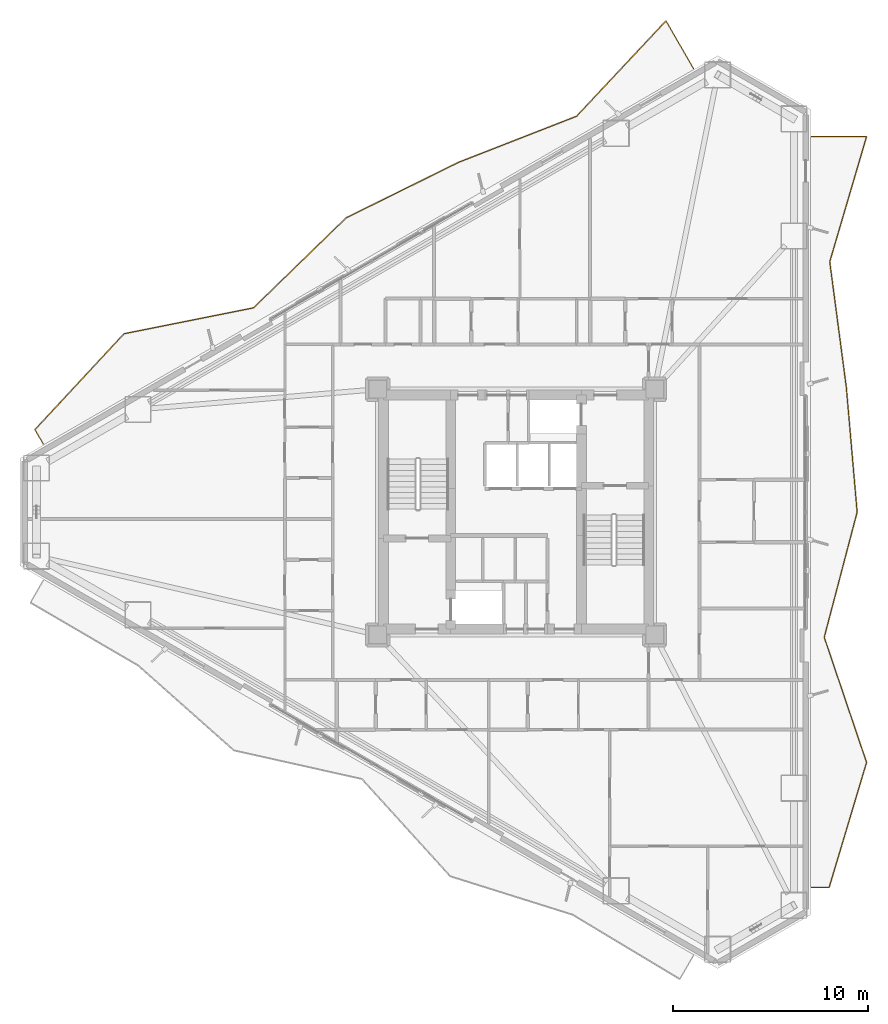
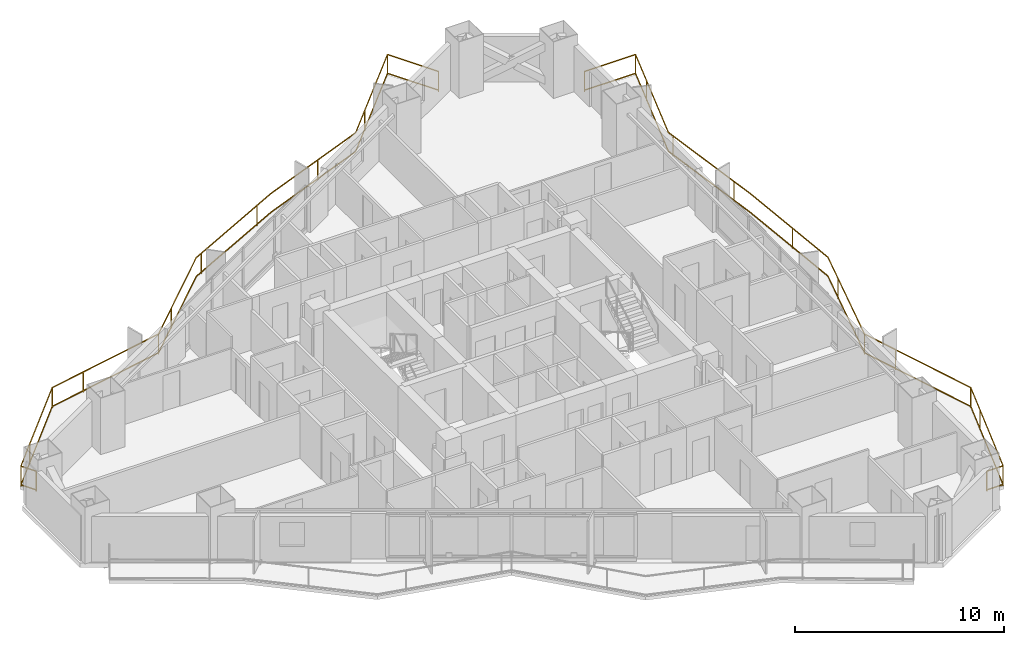
# One storey, part 18 of 18: 2 railings.
"""IFC4 building model written with IfcOpenShell, lengths in metres."""

from ifc_helpers import new_model, si_unit, direction, frame, origin, origin_2d, place, context, subcontext, project, spatial, rectangle, extrude, material, type_object, element, save


model = new_model("IFC4")

# Units and contexts
model_context = context("Model", 3, precision=1e-05, world=origin(), true_north=direction((0.0, 1.0)))
body_context = subcontext(model_context, "Body", "Model", "MODEL_VIEW")
ifc_project = project(units=[si_unit("LENGTHUNIT", "METRE"), si_unit("AREAUNIT", "SQUARE_METRE"), si_unit("VOLUMEUNIT", "CUBIC_METRE"), si_unit("PLANEANGLEUNIT", "RADIAN"), si_unit("MASSUNIT", "GRAM", prefix="KILO")], contexts=[model_context])

# Site, building, storey
site_placement = place(None, origin())
site = spatial("IfcSite", under=ifc_project, at=site_placement, CompositionType="ELEMENT")
building_placement = place(site_placement, origin())
building = spatial("IfcBuilding", under=site, at=building_placement, Name="Mersakhor Tower and Convention Hall", CompositionType="ELEMENT")
storey_placement = place(building_placement, frame((0.0, 0.0, 55.5)))
storey = spatial("IfcBuildingStorey", under=building, at=storey_placement, Name="L15", CompositionType="ELEMENT", Elevation=55.5)

# Railings
ifc_material = material(Name="Powder-coated galvanised steel and laminated glass balustrade", Category="steel")
railing_type = type_object("IfcRailingType", Name="RL-BAL-1200", PredefinedType="BALUSTRADE", material=ifc_material)
railing_1_placement = place(storey_placement, frame((38.099609375, 49.497314453125, 0.0)))
element("IfcRailing", 1, at=railing_1_placement, inside=storey, type_object=railing_type, Name="L15 Sinusoidal Balcony Balustrade F1", PredefinedType="BALUSTRADE", context=body_context, shape_type="SweptSolid", body=[
    extrude(rectangle(XDim=0.048095703125, YDim=0.048095703125, at=origin_2d()), frame((0.0, 0.0, 1.17578125), z_axis=(-0.500049687543, 0.865996714767, 0.0), x_axis=(-0.865996714767, -0.500049687543, 0.0)), (0.0, 0.0, 1.0), 2.820068359375),
    extrude(rectangle(XDim=0.048095703125, YDim=0.048095703125, at=origin_2d()), frame((0.0, 0.0, 0.080078125), z_axis=(-0.500049687543, 0.865996714767, 0.0), x_axis=(-0.865996714767, -0.500049687543, 0.0)), (0.0, 0.0, 1.0), 2.820068359375),
    extrude(rectangle(XDim=0.048095703125, YDim=0.048095703125, at=origin_2d()), frame((-1.41015625, 2.442138671875, 1.17578125), z_axis=(-0.683799430764, -0.729670020274, 0.0), x_axis=(0.729670020274, -0.683799430764, 0.0)), (0.0, 0.0, 1.0), 6.706298828125),
    extrude(rectangle(XDim=0.048095703125, YDim=0.048095703125, at=origin_2d()), frame((-1.41015625, 2.442138671875, 0.080078125), z_axis=(-0.683799430764, -0.729670020274, 0.0), x_axis=(0.729670020274, -0.683799430764, 0.0)), (0.0, 0.0, 1.0), 6.706298828125),
    extrude(rectangle(XDim=0.048095703125, YDim=0.048095703125, at=origin_2d()), frame((-5.995849609375, -2.451171875, 1.17578125), z_axis=(-0.931589111674, -0.363513035543, 0.0), x_axis=(0.363513035543, -0.931589111674, 0.0)), (0.0, 0.0, 1.0), 6.492431640625),
    extrude(rectangle(XDim=0.048095703125, YDim=0.048095703125, at=origin_2d()), frame((-5.995849609375, -2.451171875, 0.080078125), z_axis=(-0.931589111674, -0.363513035543, 0.0), x_axis=(0.363513035543, -0.931589111674, 0.0)), (0.0, 0.0, 1.0), 6.492431640625),
    extrude(rectangle(XDim=0.048095703125, YDim=0.048095703125, at=origin_2d()), frame((-12.044189453125, -4.811279296875, 1.17578125), z_axis=(-0.896595522929, -0.442850390384, 0.0), x_axis=(0.442850390384, -0.896595522929, 0.0)), (0.0, 0.0, 1.0), 6.431396484375),
    extrude(rectangle(XDim=0.048095703125, YDim=0.048095703125, at=origin_2d()), frame((-12.044189453125, -4.811279296875, 0.080078125), z_axis=(-0.896595522929, -0.442850390384, 0.0), x_axis=(0.442850390384, -0.896595522929, 0.0)), (0.0, 0.0, 1.0), 6.431396484375),
    extrude(rectangle(XDim=0.048095703125, YDim=0.048095703125, at=origin_2d()), frame((-17.810546875, -7.659423828125, 1.17578125), z_axis=(-0.717121373914, -0.69694830158, 0.0), x_axis=(0.69694830158, -0.717121373914, 0.0)), (0.0, 0.0, 1.0), 6.619873046875),
    extrude(rectangle(XDim=0.048095703125, YDim=0.048095703125, at=origin_2d()), frame((-17.810546875, -7.659423828125, 0.080078125), z_axis=(-0.717121373914, -0.69694830158, 0.0), x_axis=(0.69694830158, -0.717121373914, 0.0)), (0.0, 0.0, 1.0), 6.619873046875),
    extrude(rectangle(XDim=0.048095703125, YDim=0.048095703125, at=origin_2d()), frame((-22.557861328125, -12.273193359375, 1.17578125), z_axis=(-0.980552945517, -0.196254735071, 0.0), x_axis=(0.196254735071, -0.980552945517, 0.0)), (0.0, 0.0, 1.0), 6.77490234375),
    extrude(rectangle(XDim=0.048095703125, YDim=0.048095703125, at=origin_2d()), frame((-22.557861328125, -12.273193359375, 0.080078125), z_axis=(-0.980552945517, -0.196254735071, 0.0), x_axis=(0.196254735071, -0.980552945517, 0.0)), (0.0, 0.0, 1.0), 6.77490234375),
    extrude(rectangle(XDim=0.048095703125, YDim=0.048095703125, at=origin_2d()), frame((-29.200927734375, -13.602783203125, 1.17578125), z_axis=(-0.680596114132, -0.732658808333, 0.0), x_axis=(0.732658808333, -0.680596114132, 0.0)), (0.0, 0.0, 1.0), 6.715087890625),
    extrude(rectangle(XDim=0.048095703125, YDim=0.048095703125, at=origin_2d()), frame((-29.200927734375, -13.602783203125, 0.080078125), z_axis=(-0.680596114132, -0.732658808333, 0.0), x_axis=(0.732658808333, -0.680596114132, 0.0)), (0.0, 0.0, 1.0), 6.715087890625),
    extrude(rectangle(XDim=0.048095703125, YDim=0.048095703125, at=origin_2d()), frame((-33.771240234375, -18.522705078125, 1.17578125), z_axis=(0.499964420222, -0.866045944804, 0.0), x_axis=(0.866045944804, 0.499964420222, 0.0)), (0.0, 0.0, 1.0), 0.84423828125),
    extrude(rectangle(XDim=0.048095703125, YDim=0.048095703125, at=origin_2d()), frame((-33.771240234375, -18.522705078125, 0.080078125), z_axis=(0.499964420222, -0.866045944804, 0.0), x_axis=(0.866045944804, 0.499964420222, 0.0)), (0.0, 0.0, 1.0), 0.84423828125),
    extrude(rectangle(XDim=0.0419921875, YDim=0.0419921875, at=origin_2d()), origin(), (0.0, 0.0, 1.0), 1.15185546875),
    extrude(rectangle(XDim=0.0419921875, YDim=0.0419921875, at=origin_2d()), frame((-1.41015625, 2.442138671875, 0.0)), (0.0, 0.0, 1.0), 1.15185546875),
    extrude(rectangle(XDim=0.0419921875, YDim=0.0419921875, at=origin_2d()), frame((-4.6923828125, -1.060302734375, 0.0)), (0.0, 0.0, 1.0), 1.15185546875),
    extrude(rectangle(XDim=0.0419921875, YDim=0.0419921875, at=origin_2d()), frame((-8.691650390625, -3.503173828125, 0.0)), (0.0, 0.0, 1.0), 1.15185546875),
    extrude(rectangle(XDim=0.0419921875, YDim=0.0419921875, at=origin_2d()), frame((-13.121337890625, -5.34326171875, 0.0)), (0.0, 0.0, 1.0), 1.15185546875),
    extrude(rectangle(XDim=0.0419921875, YDim=0.0419921875, at=origin_2d()), frame((-17.425048828125, -7.468994140625, 0.0)), (0.0, 0.0, 1.0), 1.15185546875),
    extrude(rectangle(XDim=0.0419921875, YDim=0.0419921875, at=origin_2d()), frame((-20.9443359375, -10.705078125, 0.0)), (0.0, 0.0, 1.0), 1.15185546875),
    extrude(rectangle(XDim=0.0419921875, YDim=0.0419921875, at=origin_2d()), frame((-22.557861328125, -12.273193359375, 0.0)), (0.0, 0.0, 1.0), 1.15185546875),
    extrude(rectangle(XDim=0.0419921875, YDim=0.0419921875, at=origin_2d()), frame((-27.264404296875, -13.21533203125, 0.0)), (0.0, 0.0, 1.0), 1.15185546875),
    extrude(rectangle(XDim=0.0419921875, YDim=0.0419921875, at=origin_2d()), frame((-29.200927734375, -13.602783203125, 0.0)), (0.0, 0.0, 1.0), 1.15185546875),
    extrude(rectangle(XDim=0.0419921875, YDim=0.0419921875, at=origin_2d()), frame((-32.4677734375, -17.11962890625, 0.0)), (0.0, 0.0, 1.0), 1.15185546875),
    extrude(rectangle(XDim=0.0419921875, YDim=0.0419921875, at=origin_2d()), frame((-33.771240234375, -18.522705078125, 0.0)), (0.0, 0.0, 1.0), 1.15185546875),
    extrude(rectangle(XDim=0.0419921875, YDim=0.0419921875, at=origin_2d()), frame((-33.34912109375, -19.25390625, 0.0)), (0.0, 0.0, 1.0), 1.15185546875),
])
railing_2_placement = place(storey_placement, frame((44.14990234375, 7.49609375, 0.0)))
element("IfcRailing", 2, at=railing_2_placement, inside=storey, type_object=railing_type, Name="L15 Sinusoidal Balcony Balustrade F2", PredefinedType="BALUSTRADE", context=body_context, shape_type="SweptSolid", body=[
    extrude(rectangle(XDim=0.048095703125, YDim=0.048095703125, at=origin_2d()), frame((0.0, 0.0, 1.17578125), z_axis=(1.0, 0.0, 0.0), x_axis=(0.0, 1.0, 0.0)), (0.0, 0.0, 1.0), 0.8994140625),
    extrude(rectangle(XDim=0.048095703125, YDim=0.048095703125, at=origin_2d()), frame((0.0, 0.0, 0.080078125), z_axis=(1.0, 0.0, 0.0), x_axis=(0.0, 1.0, 0.0)), (0.0, 0.0, 1.0), 0.8994140625),
    extrude(rectangle(XDim=0.048095703125, YDim=0.048095703125, at=origin_2d()), frame((0.8994140625, 0.0, 1.17578125), z_axis=(0.286699196363, 0.958020652598, 0.0), x_axis=(-0.958020652598, 0.286699196363, 0.0)), (0.0, 0.0, 1.0), 6.69921875),
    extrude(rectangle(XDim=0.048095703125, YDim=0.048095703125, at=origin_2d()), frame((0.8994140625, 0.0, 0.080078125), z_axis=(0.286699196363, 0.958020652598, 0.0), x_axis=(-0.958020652598, 0.286699196363, 0.0)), (0.0, 0.0, 1.0), 6.69921875),
    extrude(rectangle(XDim=0.048095703125, YDim=0.048095703125, at=origin_2d()), frame((2.820068359375, 6.41796875, 1.17578125), z_axis=(-0.320289746531, 0.947319628355, 0.0), x_axis=(-0.947319628355, -0.320289746531, 0.0)), (0.0, 0.0, 1.0), 6.77490234375),
    extrude(rectangle(XDim=0.048095703125, YDim=0.048095703125, at=origin_2d()), frame((2.820068359375, 6.41796875, 0.080078125), z_axis=(-0.320289746531, 0.947319628355, 0.0), x_axis=(-0.947319628355, -0.320289746531, 0.0)), (0.0, 0.0, 1.0), 6.77490234375),
    extrude(rectangle(XDim=0.048095703125, YDim=0.048095703125, at=origin_2d()), frame((0.650146484375, 12.8359375, 1.17578125), z_axis=(0.254256062493, 0.967136936884, 0.0), x_axis=(-0.967136936884, 0.254256062493, 0.0)), (0.0, 0.0, 1.0), 6.635986328125),
    extrude(rectangle(XDim=0.048095703125, YDim=0.048095703125, at=origin_2d()), frame((0.650146484375, 12.8359375, 0.080078125), z_axis=(0.254256062493, 0.967136936884, 0.0), x_axis=(-0.967136936884, 0.254256062493, 0.0)), (0.0, 0.0, 1.0), 6.635986328125),
    extrude(rectangle(XDim=0.048095703125, YDim=0.048095703125, at=origin_2d()), frame((2.33740234375, 19.25390625, 1.17578125), z_axis=(-0.086444818795, 0.996256640281, 0.0), x_axis=(-0.996256640281, -0.086444818795, 0.0)), (0.0, 0.0, 1.0), 6.442138671875),
    extrude(rectangle(XDim=0.048095703125, YDim=0.048095703125, at=origin_2d()), frame((2.33740234375, 19.25390625, 0.080078125), z_axis=(-0.086444818795, 0.996256640281, 0.0), x_axis=(-0.996256640281, -0.086444818795, 0.0)), (0.0, 0.0, 1.0), 6.442138671875),
    extrude(rectangle(XDim=0.048095703125, YDim=0.048095703125, at=origin_2d()), frame((1.780517578125, 25.671875, 1.17578125), z_axis=(-0.131086629203, 0.991370917288, 0.0), x_axis=(-0.991370917288, -0.131086629203, 0.0)), (0.0, 0.0, 1.0), 6.473876953125),
    extrude(rectangle(XDim=0.048095703125, YDim=0.048095703125, at=origin_2d()), frame((1.780517578125, 25.671875, 0.080078125), z_axis=(-0.131086629203, 0.991370917288, 0.0), x_axis=(-0.991370917288, -0.131086629203, 0.0)), (0.0, 0.0, 1.0), 6.473876953125),
    extrude(rectangle(XDim=0.048095703125, YDim=0.048095703125, at=origin_2d()), frame((0.931884765625, 32.08984375, 1.17578125), z_axis=(0.282241402291, 0.959343416527, 0.0), x_axis=(-0.959343416527, 0.282241402291, 0.0)), (0.0, 0.0, 1.0), 6.68994140625),
    extrude(rectangle(XDim=0.048095703125, YDim=0.048095703125, at=origin_2d()), frame((0.931884765625, 32.08984375, 0.080078125), z_axis=(0.282241402291, 0.959343416527, 0.0), x_axis=(-0.959343416527, 0.282241402291, 0.0)), (0.0, 0.0, 1.0), 6.68994140625),
    extrude(rectangle(XDim=0.048095703125, YDim=0.048095703125, at=origin_2d()), frame((2.820068359375, 38.5078125, 1.17578125), z_axis=(-1.0, 0.0, 0.0), x_axis=(0.0, -1.0, 0.0)), (0.0, 0.0, 1.0), 2.820068359375),
    extrude(rectangle(XDim=0.048095703125, YDim=0.048095703125, at=origin_2d()), frame((2.820068359375, 38.5078125, 0.080078125), z_axis=(-1.0, 0.0, 0.0), x_axis=(0.0, -1.0, 0.0)), (0.0, 0.0, 1.0), 2.820068359375),
    extrude(rectangle(XDim=0.0419921875, YDim=0.0419921875, at=origin_2d()), origin(), (0.0, 0.0, 1.0), 1.15185546875),
    extrude(rectangle(XDim=0.0419921875, YDim=0.0419921875, at=origin_2d()), frame((0.8994140625, 0.0, 0.0)), (0.0, 0.0, 1.0), 1.15185546875),
    extrude(rectangle(XDim=0.0419921875, YDim=0.0419921875, at=origin_2d()), frame((2.275634765625, 4.598388671875, 0.0)), (0.0, 0.0, 1.0), 1.15185546875),
    extrude(rectangle(XDim=0.0419921875, YDim=0.0419921875, at=origin_2d()), frame((2.820068359375, 6.41796875, 0.0)), (0.0, 0.0, 1.0), 1.15185546875),
    extrude(rectangle(XDim=0.0419921875, YDim=0.0419921875, at=origin_2d()), frame((1.28271484375, 10.965087890625, 0.0)), (0.0, 0.0, 1.0), 1.15185546875),
    extrude(rectangle(XDim=0.0419921875, YDim=0.0419921875, at=origin_2d()), frame((0.650146484375, 12.8359375, 0.0)), (0.0, 0.0, 1.0), 1.15185546875),
    extrude(rectangle(XDim=0.0419921875, YDim=0.0419921875, at=origin_2d()), frame((1.87060546875, 17.478271484375, 0.0)), (0.0, 0.0, 1.0), 1.15185546875),
    extrude(rectangle(XDim=0.0419921875, YDim=0.0419921875, at=origin_2d()), frame((2.081298828125, 22.206787109375, 0.0)), (0.0, 0.0, 1.0), 1.15185546875),
    extrude(rectangle(XDim=0.0419921875, YDim=0.0419921875, at=origin_2d()), frame((1.607177734375, 26.982421875, 0.0)), (0.0, 0.0, 1.0), 1.15185546875),
    extrude(rectangle(XDim=0.0419921875, YDim=0.0419921875, at=origin_2d()), frame((0.97802734375, 31.740966796875, 0.0)), (0.0, 0.0, 1.0), 1.15185546875),
    extrude(rectangle(XDim=0.0419921875, YDim=0.0419921875, at=origin_2d()), frame((2.187255859375, 36.35693359375, 0.0)), (0.0, 0.0, 1.0), 1.15185546875),
    extrude(rectangle(XDim=0.0419921875, YDim=0.0419921875, at=origin_2d()), frame((2.820068359375, 38.5078125, 0.0)), (0.0, 0.0, 1.0), 1.15185546875),
    extrude(rectangle(XDim=0.0419921875, YDim=0.0419921875, at=origin_2d()), frame((0.0, 38.5078125, 0.0)), (0.0, 0.0, 1.0), 1.15185546875),
])

save(model, "model.ifc")
